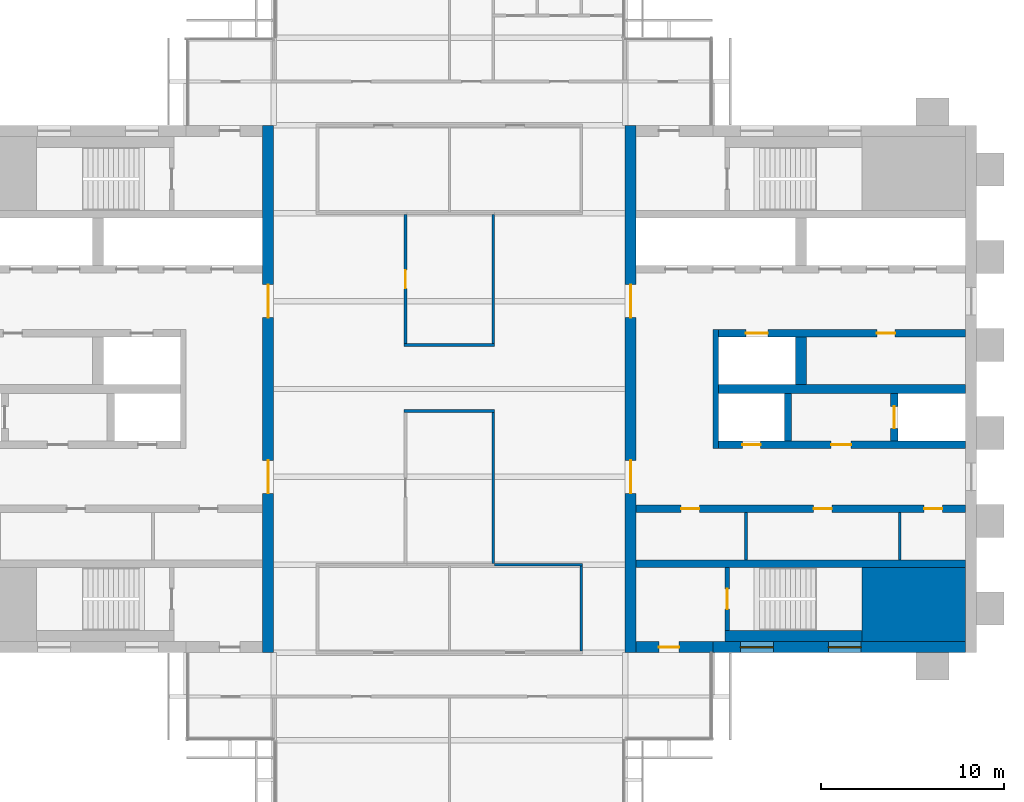
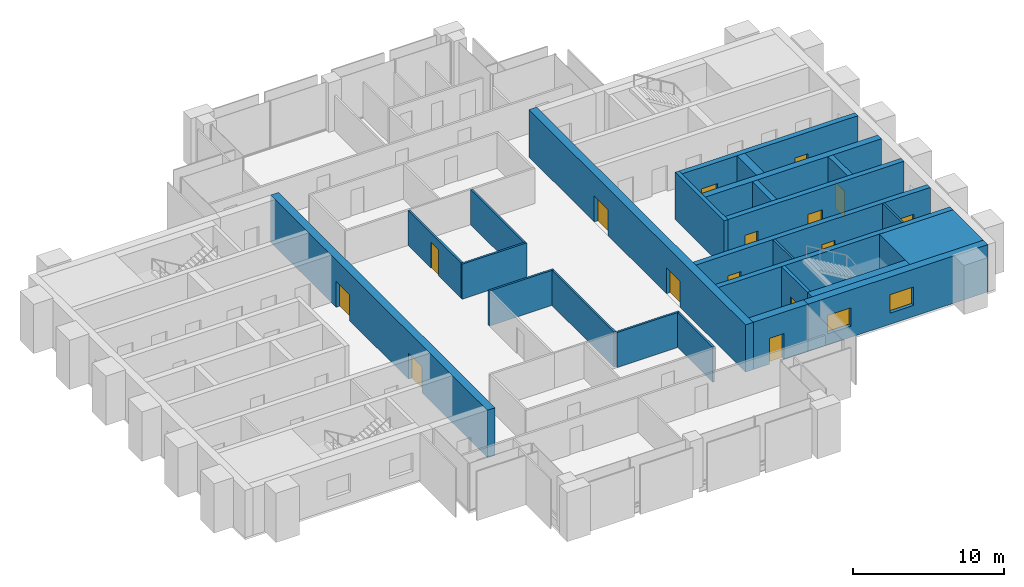
# One storey, part 9 of 12: 25 walls, 15 doors, 2 windows, 17 openings.
"""IFC4 building model written with IfcOpenShell, lengths in metres."""

from ifc_helpers import new_model, si_unit, direction, frame, frame_2d, origin, place, context, subcontext, project, spatial, rectangle, extrude, material, layer, layer_set, type_object, element, fill, save


model = new_model("IFC4")

# Units and contexts
model_context = context("Model", 3, precision=1e-05, world=origin(), true_north=direction((0.0, 1.0)))
body_context = subcontext(model_context, "Body", "Model", "MODEL_VIEW")
ifc_project = project(units=[si_unit("LENGTHUNIT", "METRE"), si_unit("AREAUNIT", "SQUARE_METRE"), si_unit("VOLUMEUNIT", "CUBIC_METRE"), si_unit("PLANEANGLEUNIT", "RADIAN"), si_unit("MASSUNIT", "GRAM", prefix="KILO")], contexts=[model_context])

# Site, building, storey
site_placement = place(None, origin())
site = spatial("IfcSite", under=ifc_project, at=site_placement, CompositionType="ELEMENT")
building_placement = place(site_placement, origin())
building = spatial("IfcBuilding", under=site, at=building_placement, Name="Baori Bourse Tower", CompositionType="ELEMENT")
storey_placement = place(building_placement, frame((0.0, 0.0, 298.300048828125)))
storey = spatial("IfcBuildingStorey", under=building, at=storey_placement, Name="L65", CompositionType="ELEMENT", Elevation=298.300048828125)

# Walls
ifc_material_1 = material(Name="Concrete f'c 40 MPa", Category="concrete")
wall_type_1 = type_object("IfcWallType", Name="Core corner block f'c 40", PredefinedType="SHEAR", material=ifc_material_1)
wall_1_placement = place(storey_placement, frame((51.35009765625, 12.22509765625, 0.0), z_axis=(0.0, 0.0, 1.0), x_axis=(1.0, 0.0, 0.0)))
element("IfcWall", 1, at=wall_1_placement, inside=storey, type_object=wall_type_1, Name="Core wall E05", PredefinedType="SHEAR", context=body_context, shape_type="SweptSolid", body=[
    extrude(rectangle(XDim=5.64990234375, YDim=4.050048828125, at=frame_2d((2.824951171875, 0.0))), origin(), (0.0, 0.0, 1.0), 3.83984375),
])
ifc_material_2 = material(Name="Blockwork partition", Category="masonry")
ifc_layer_1 = layer(ifc_material_2, 0.14990234375)
ifc_layer_set_1 = layer_set([ifc_layer_1], Name="Core partition 150")
wall_type_2 = type_object("IfcWallType", Name="Core partition 150", PredefinedType="PARTITIONING", material=ifc_layer_set_1)
for number, where, z_axis, x_axis, name in (
    (2, (53.39990234375, 14.64990234375, 0.0), (0.0, 0.0, 1.0), (0.0, 1.0, 0.0), "Partition wall E09"),
    (3, (45.0, 14.64990234375, 0.0), (0.0, 0.0, 1.0), (0.0, 1.0, 0.0), "Partition wall E10"),
):
    element("IfcWall", number, at=place(storey_placement, frame(where, z_axis=z_axis, x_axis=x_axis)), inside=storey, type_object=wall_type_2, Name=name, PredefinedType="PARTITIONING", context=body_context, shape_type="SweptSolid", body=[
        extrude(rectangle(XDim=2.60009765625, YDim=0.14990234375, at=frame_2d((1.300048828125, 0.0))), origin(), (0.0, 0.0, 1.0), 3.83984375),
    ])

# Wall, openings, doors
ifc_material_3 = material(Name="Concrete f'c 40 MPa", Category="concrete")
ifc_layer_2 = layer(ifc_material_3, 0.60009765625)
ifc_layer_set_2 = layer_set([ifc_layer_2], Name="Core wall 600 f'c 40")
wall_type_3 = type_object("IfcWallType", Name="Core wall 600 f'c 40", PredefinedType="SHEAR", material=ifc_layer_set_2)
wall_2_placement = place(storey_placement, frame((18.89990234375, 38.39990234375, 0.0), z_axis=(0.0, 0.0, 1.0), x_axis=(0.0, -1.0, 0.0)))
wall_2 = element("IfcWall", 4, at=wall_2_placement, inside=storey, type_object=wall_type_3, Name="Core wall W04", PredefinedType="SHEAR", context=body_context, shape_type="SweptSolid", body=[
    extrude(rectangle(XDim=28.7998046875, YDim=0.60009765625, at=frame_2d((14.39990234375, 0.0))), origin(), (0.0, 0.0, 1.0), 3.83984375),
])
opening_1_placement = place(wall_2_placement, frame((18.300048828125, 0.0, 0.0)))
opening_1 = element("IfcOpeningElement", 5, at=opening_1_placement, cuts=wall_2, Name="Opening L65-D107", PredefinedType="OPENING", context=body_context, shape_type="SweptSolid", body=[
    extrude(rectangle(XDim=1.800048828125, YDim=2.10009765625, at=frame_2d((0.89990234375, 1.050048828125))), frame((0.0, 0.31005859375, 0.0), z_axis=(0.0, -1.0, 0.0), x_axis=(1.0, 0.0, 0.0)), (0.0, 0.0, 1.0), 0.6201171875),
])
opening_2_placement = place(wall_2_placement, frame((8.699951171875, 0.0, 0.0)))
opening_2 = element("IfcOpeningElement", 6, at=opening_2_placement, cuts=wall_2, Name="Opening L65-D108", PredefinedType="OPENING", context=body_context, shape_type="SweptSolid", body=[
    extrude(rectangle(XDim=1.800048828125, YDim=2.10009765625, at=frame_2d((0.89990234375, 1.050048828125))), frame((0.0, 0.31005859375, 0.0), z_axis=(0.0, -1.0, 0.0), x_axis=(1.0, 0.0, 0.0)), (0.0, 0.0, 1.0), 0.6201171875),
])
ifc_material_4 = material(Name="Painted steel door", Category="steel")
door_type_1 = type_object("IfcDoorType", Name="Core lobby door 1800", OperationType="DOUBLE_DOOR_SINGLE_SWING", PredefinedType="DOOR", material=ifc_material_4)
door_1_placement = place(opening_1_placement, origin())
door_1 = element("IfcDoor", 7, at=door_1_placement, inside=storey, type_object=door_type_1, Name="Lobby door W L65", OperationType="DOUBLE_DOOR_SINGLE_SWING", OverallHeight=2.10009765625, OverallWidth=1.800048828125, PredefinedType="DOOR", context=body_context, shape_type="SweptSolid", body=[
    extrude(rectangle(XDim=1.800048828125, YDim=2.10009765625, at=frame_2d((0.89990234375, 1.050048828125))), frame((0.0, 0.02490234375, 0.0), z_axis=(0.0, -1.0, 0.0), x_axis=(1.0, 0.0, 0.0)), (0.0, 0.0, 1.0), 0.050048828125),
])
fill(opening_1, door_1)
door_2_placement = place(opening_2_placement, origin())
door_2 = element("IfcDoor", 8, at=door_2_placement, inside=storey, type_object=door_type_1, Name="Lobby door W L65", OperationType="DOUBLE_DOOR_SINGLE_SWING", OverallHeight=2.10009765625, OverallWidth=1.800048828125, PredefinedType="DOOR", context=body_context, shape_type="SweptSolid", body=[
    extrude(rectangle(XDim=1.800048828125, YDim=2.10009765625, at=frame_2d((0.89990234375, 1.050048828125))), frame((0.0, 0.02490234375, 0.0), z_axis=(0.0, -1.0, 0.0), x_axis=(1.0, 0.0, 0.0)), (0.0, 0.0, 1.0), 0.050048828125),
])
fill(opening_2, door_2)

# Wall, openings, windows
wall_3_placement = place(storey_placement, frame((57.0, 9.89990234375, 0.0), z_axis=(0.0, 0.0, 1.0), x_axis=(-1.0, 0.0, 0.0)))
wall_3 = element("IfcWall", 9, at=wall_3_placement, inside=storey, type_object=wall_type_3, Name="Core wall E02", PredefinedType="SHEAR", context=body_context, shape_type="SweptSolid", body=[
    extrude(rectangle(XDim=13.800048828125, YDim=0.60009765625, at=frame_2d((6.89990234375, 0.0))), origin(), (0.0, 0.0, 1.0), 3.83984375),
])
opening_3_placement = place(wall_3_placement, frame((5.699951171875, 0.0, 0.89990234375)))
opening_3 = element("IfcOpeningElement", 10, at=opening_3_placement, cuts=wall_3, Name="Opening L65-KW203", PredefinedType="OPENING", context=body_context, shape_type="SweptSolid", body=[
    extrude(rectangle(XDim=1.800048828125, YDim=1.5, at=frame_2d((0.89990234375, 0.75))), frame((0.0, 0.31005859375, 0.0), z_axis=(0.0, -1.0, 0.0), x_axis=(1.0, 0.0, 0.0)), (0.0, 0.0, 1.0), 0.6201171875),
])
opening_4_placement = place(wall_3_placement, frame((10.5, 0.0, 0.89990234375)))
opening_4 = element("IfcOpeningElement", 11, at=opening_4_placement, cuts=wall_3, Name="Opening L65-KW204", PredefinedType="OPENING", context=body_context, shape_type="SweptSolid", body=[
    extrude(rectangle(XDim=1.800048828125, YDim=1.5, at=frame_2d((0.89990234375, 0.75))), frame((0.0, 0.31005859375, 0.0), z_axis=(0.0, -1.0, 0.0), x_axis=(1.0, 0.0, 0.0)), (0.0, 0.0, 1.0), 0.6201171875),
])
ifc_material_5 = material(Name="Pale anodised aluminium", Category="aluminium")
window_type = type_object("IfcWindowType", Name="Stair window 1800 x 1500", PartitioningType="SINGLE_PANEL", PredefinedType="WINDOW", material=ifc_material_5)
window_1_placement = place(opening_3_placement, origin())
window_1 = element("IfcWindow", 12, at=window_1_placement, inside=storey, type_object=window_type, Name="Stair window E L65 3", OverallHeight=1.5, OverallWidth=1.800048828125, PartitioningType="SINGLE_PANEL", PredefinedType="WINDOW", context=body_context, shape_type="SweptSolid", body=[
    extrude(rectangle(XDim=1.800048828125, YDim=1.5, at=frame_2d((0.89990234375, 0.75))), frame((0.0, 0.030029296875, 0.0), z_axis=(0.0, -1.0, 0.0), x_axis=(1.0, 0.0, 0.0)), (0.0, 0.0, 1.0), 0.06005859375),
])
fill(opening_3, window_1)
window_2_placement = place(opening_4_placement, origin())
window_2 = element("IfcWindow", 13, at=window_2_placement, inside=storey, type_object=window_type, Name="Stair window E L65 4", OverallHeight=1.5, OverallWidth=1.800048828125, PartitioningType="SINGLE_PANEL", PredefinedType="WINDOW", context=body_context, shape_type="SweptSolid", body=[
    extrude(rectangle(XDim=1.800048828125, YDim=1.5, at=frame_2d((0.89990234375, 0.75))), frame((0.0, 0.030029296875, 0.0), z_axis=(0.0, -1.0, 0.0), x_axis=(1.0, 0.0, 0.0)), (0.0, 0.0, 1.0), 0.06005859375),
])
fill(opening_4, window_2)

# Wall, opening, door
wall_4_placement = place(storey_placement, frame((43.199951171875, 9.89990234375, 0.0), z_axis=(0.0, 0.0, 1.0), x_axis=(-1.0, 0.0, 0.0)))
wall_4 = element("IfcWall", 14, at=wall_4_placement, inside=storey, type_object=wall_type_3, Name="Core wall E03", PredefinedType="SHEAR", context=body_context, shape_type="SweptSolid", body=[
    extrude(rectangle(XDim=4.199951171875, YDim=0.60009765625, at=frame_2d((2.10009765625, 0.0))), origin(), (0.0, 0.0, 1.0), 3.83984375),
])
opening_5_placement = place(wall_4_placement, frame((1.85009765625, 0.0, 0.0)))
opening_5 = element("IfcOpeningElement", 15, at=opening_5_placement, cuts=wall_4, Name="Opening L65-D202", PredefinedType="OPENING", context=body_context, shape_type="SweptSolid", body=[
    extrude(rectangle(XDim=1.10009765625, YDim=2.10009765625, at=frame_2d((0.550048828125, 1.050048828125))), frame((0.0, 0.31005859375, 0.0), z_axis=(0.0, -1.0, 0.0), x_axis=(1.0, 0.0, 0.0)), (0.0, 0.0, 1.0), 0.6201171875),
])
ifc_material_6 = material(Name="Painted steel door", Category="steel")
door_type_2 = type_object("IfcDoorType", Name="Stair door 1100", OperationType="SINGLE_SWING_LEFT", PredefinedType="DOOR", material=ifc_material_6)
door_3_placement = place(opening_5_placement, origin())
door_3 = element("IfcDoor", 16, at=door_3_placement, inside=storey, type_object=door_type_2, Name="Stair vestibule door A E L65", OperationType="SINGLE_SWING_LEFT", OverallHeight=2.10009765625, OverallWidth=1.10009765625, PredefinedType="DOOR", context=body_context, shape_type="SweptSolid", body=[
    extrude(rectangle(XDim=1.10009765625, YDim=2.10009765625, at=frame_2d((0.550048828125, 1.050048828125))), frame((0.0, 0.02490234375, 0.0), z_axis=(0.0, -1.0, 0.0), x_axis=(1.0, 0.0, 0.0)), (0.0, 0.0, 1.0), 0.050048828125),
])
fill(opening_5, door_3)

# Wall, openings, doors
wall_5_placement = place(storey_placement, frame((38.699951171875, 9.60009765625, 0.0), z_axis=(0.0, 0.0, 1.0), x_axis=(0.0, 1.0, 0.0)))
wall_5 = element("IfcWall", 17, at=wall_5_placement, inside=storey, type_object=wall_type_3, Name="Core wall E04", PredefinedType="SHEAR", context=body_context, shape_type="SweptSolid", body=[
    extrude(rectangle(XDim=28.7998046875, YDim=0.60009765625, at=frame_2d((14.39990234375, 0.0))), origin(), (0.0, 0.0, 1.0), 3.83984375),
])
opening_6_placement = place(wall_5_placement, frame((8.699951171875, 0.0, 0.0)))
opening_6 = element("IfcOpeningElement", 18, at=opening_6_placement, cuts=wall_5, Name="Opening L65-D207", PredefinedType="OPENING", context=body_context, shape_type="SweptSolid", body=[
    extrude(rectangle(XDim=1.800048828125, YDim=2.10009765625, at=frame_2d((0.89990234375, 1.050048828125))), frame((0.0, 0.31005859375, 0.0), z_axis=(0.0, -1.0, 0.0), x_axis=(1.0, 0.0, 0.0)), (0.0, 0.0, 1.0), 0.6201171875),
])
opening_7_placement = place(wall_5_placement, frame((18.300048828125, 0.0, 0.0)))
opening_7 = element("IfcOpeningElement", 19, at=opening_7_placement, cuts=wall_5, Name="Opening L65-D208", PredefinedType="OPENING", context=body_context, shape_type="SweptSolid", body=[
    extrude(rectangle(XDim=1.800048828125, YDim=2.10009765625, at=frame_2d((0.89990234375, 1.050048828125))), frame((0.0, 0.31005859375, 0.0), z_axis=(0.0, -1.0, 0.0), x_axis=(1.0, 0.0, 0.0)), (0.0, 0.0, 1.0), 0.6201171875),
])
door_4_placement = place(opening_6_placement, origin())
door_4 = element("IfcDoor", 20, at=door_4_placement, inside=storey, type_object=door_type_1, Name="Lobby door E L65", OperationType="DOUBLE_DOOR_SINGLE_SWING", OverallHeight=2.10009765625, OverallWidth=1.800048828125, PredefinedType="DOOR", context=body_context, shape_type="SweptSolid", body=[
    extrude(rectangle(XDim=1.800048828125, YDim=2.10009765625, at=frame_2d((0.89990234375, 1.050048828125))), frame((0.0, 0.02490234375, 0.0), z_axis=(0.0, -1.0, 0.0), x_axis=(1.0, 0.0, 0.0)), (0.0, 0.0, 1.0), 0.050048828125),
])
fill(opening_6, door_4)
door_5_placement = place(opening_7_placement, origin())
door_5 = element("IfcDoor", 21, at=door_5_placement, inside=storey, type_object=door_type_1, Name="Lobby door E L65", OperationType="DOUBLE_DOOR_SINGLE_SWING", OverallHeight=2.10009765625, OverallWidth=1.800048828125, PredefinedType="DOOR", context=body_context, shape_type="SweptSolid", body=[
    extrude(rectangle(XDim=1.800048828125, YDim=2.10009765625, at=frame_2d((0.89990234375, 1.050048828125))), frame((0.0, 0.02490234375, 0.0), z_axis=(0.0, -1.0, 0.0), x_axis=(1.0, 0.0, 0.0)), (0.0, 0.0, 1.0), 0.050048828125),
])
fill(opening_7, door_5)

# Walls
ifc_material_7 = material(Name="Gypsum board partition")
ifc_layer_3 = layer(ifc_material_7, 0.14990234375)
ifc_layer_set_3 = layer_set([ifc_layer_3], Name="Corridor partition 150")
wall_type_4 = type_object("IfcWallType", Name="Corridor partition 150", PredefinedType="PARTITIONING", material=ifc_layer_set_3)
wall_6_placement = place(storey_placement, frame((31.27490234375, 14.39990234375, 0.0), z_axis=(0.0, 0.0, 1.0), x_axis=(1.0, 0.0, 0.0)))
element("IfcWall", 22, at=wall_6_placement, inside=storey, type_object=wall_type_4, Name="Partition", PredefinedType="PARTITIONING", context=body_context, shape_type="SweptSolid", body=[
    extrude(rectangle(XDim=4.800048828125, YDim=0.14990234375, at=frame_2d((2.39990234375, 0.0))), origin(), (0.0, 0.0, 1.0), 2.849365234375),
])
for number, where, z_axis, x_axis, name in (
    (23, (26.324951171875, 22.800048828125, 0.0), (0.0, 0.0, 1.0), (1.0, 0.0, 0.0), "Partition"),
    (24, (26.324951171875, 26.39990234375, 0.0), (0.0, 0.0, 1.0), (1.0, 0.0, 0.0), "Partition"),
):
    element("IfcWall", number, at=place(storey_placement, frame(where, z_axis=z_axis, x_axis=x_axis)), inside=storey, type_object=wall_type_4, Name=name, PredefinedType="PARTITIONING", context=body_context, shape_type="SweptSolid", body=[
        extrude(rectangle(XDim=4.949951171875, YDim=0.14990234375, at=frame_2d((2.47509765625, 0.0))), origin(), (0.0, 0.0, 1.0), 2.849365234375),
    ])

# Wall, opening, door
wall_7_placement = place(storey_placement, frame((26.39990234375, 26.47509765625, 0.0), z_axis=(0.0, 0.0, 1.0), x_axis=(0.0, 1.0, 0.0)))
wall_7 = element("IfcWall", 25, at=wall_7_placement, inside=storey, type_object=wall_type_4, Name="Partition", PredefinedType="PARTITIONING", context=body_context, shape_type="SweptSolid", body=[
    extrude(rectangle(XDim=7.0498046875, YDim=0.14990234375, at=frame_2d((3.52490234375, 0.0))), origin(), (0.0, 0.0, 1.0), 2.849365234375),
])
opening_8_placement = place(wall_7_placement, frame((3.02490234375, 0.0, 0.0)))
opening_8 = element("IfcOpeningElement", 26, at=opening_8_placement, cuts=wall_7, Name="Opening L65-D17", PredefinedType="OPENING", context=body_context, shape_type="SweptSolid", body=[
    extrude(rectangle(XDim=1.0, YDim=2.10009765625, at=frame_2d((0.5, 1.050048828125))), frame((0.0, 0.0849609375, 0.0), z_axis=(0.0, -1.0, 0.0), x_axis=(1.0, 0.0, 0.0)), (0.0, 0.0, 1.0), 0.169921875),
])
ifc_material_8 = material(Name="Timber door leaf", Category="wood")
door_type_3 = type_object("IfcDoorType", Name="Door 1000 x 2100", OperationType="SINGLE_SWING_LEFT", PredefinedType="DOOR", material=ifc_material_8)
door_6_placement = place(opening_8_placement, origin())
door_6 = element("IfcDoor", 27, at=door_6_placement, inside=storey, type_object=door_type_3, Name="Door", OperationType="SINGLE_SWING_LEFT", OverallHeight=2.10009765625, OverallWidth=1.0, PredefinedType="DOOR", context=body_context, shape_type="SweptSolid", body=[
    extrude(rectangle(XDim=1.0, YDim=2.10009765625, at=frame_2d((0.5, 1.050048828125))), frame((0.0, 0.02490234375, 0.0), z_axis=(0.0, -1.0, 0.0), x_axis=(1.0, 0.0, 0.0)), (0.0, 0.0, 1.0), 0.050048828125),
])
fill(opening_8, door_6)

# Walls
wall_8_placement = place(storey_placement, frame((31.199951171875, 14.47509765625, 0.0), z_axis=(0.0, 0.0, 1.0), x_axis=(0.0, 1.0, 0.0)))
element("IfcWall", 28, at=wall_8_placement, inside=storey, type_object=wall_type_4, Name="Partition", PredefinedType="PARTITIONING", context=body_context, shape_type="SweptSolid", body=[
    extrude(rectangle(XDim=8.25, YDim=0.14990234375, at=frame_2d((4.125, 0.0))), origin(), (0.0, 0.0, 1.0), 2.849365234375),
])
wall_9_placement = place(storey_placement, frame((31.199951171875, 26.47509765625, 0.0), z_axis=(0.0, 0.0, 1.0), x_axis=(0.0, 1.0, 0.0)))
element("IfcWall", 29, at=wall_9_placement, inside=storey, type_object=wall_type_4, Name="Partition", PredefinedType="PARTITIONING", context=body_context, shape_type="SweptSolid", body=[
    extrude(rectangle(XDim=7.0498046875, YDim=0.14990234375, at=frame_2d((3.52490234375, 0.0))), origin(), (0.0, 0.0, 1.0), 2.849365234375),
])
wall_10_placement = place(storey_placement, frame((36.0, 9.675048828125, 0.0), z_axis=(0.0, 0.0, 1.0), x_axis=(0.0, 1.0, 0.0)))
element("IfcWall", 30, at=wall_10_placement, inside=storey, type_object=wall_type_4, Name="Partition", PredefinedType="PARTITIONING", context=body_context, shape_type="SweptSolid", body=[
    extrude(rectangle(XDim=4.64990234375, YDim=0.14990234375, at=frame_2d((2.324951171875, 0.0))), origin(), (0.0, 0.0, 1.0), 2.849365234375),
])

# Wall, opening, door
ifc_material_9 = material(Name="Concrete f'c 40 MPa", Category="concrete")
ifc_layer_4 = layer(ifc_material_9, 0.25)
ifc_layer_set_4 = layer_set([ifc_layer_4], Name="Shaft wall 250 f'c 40")
wall_type_5 = type_object("IfcWallType", Name="Shaft wall 250 f'c 40", PredefinedType="SHEAR", material=ifc_layer_set_4)
wall_11_placement = place(storey_placement, frame((43.97509765625, 10.800048828125, 0.0), z_axis=(0.0, 0.0, 1.0), x_axis=(0.0, 1.0, 0.0)))
wall_11 = element("IfcWall", 31, at=wall_11_placement, inside=storey, type_object=wall_type_5, Name="Core wall E07", PredefinedType="SHEAR", context=body_context, shape_type="SweptSolid", body=[
    extrude(rectangle(XDim=3.449951171875, YDim=0.25, at=frame_2d((1.72509765625, 0.0))), origin(), (0.0, 0.0, 1.0), 3.83984375),
])
opening_9_placement = place(wall_11_placement, frame((1.175048828125, 0.0, 0.0)))
opening_9 = element("IfcOpeningElement", 32, at=opening_9_placement, cuts=wall_11, Name="Opening L65-D201", PredefinedType="OPENING", context=body_context, shape_type="SweptSolid", body=[
    extrude(rectangle(XDim=1.10009765625, YDim=2.10009765625, at=frame_2d((0.550048828125, 1.050048828125))), frame((0.0, 0.135009765625, 0.0), z_axis=(0.0, -1.0, 0.0), x_axis=(1.0, 0.0, 0.0)), (0.0, 0.0, 1.0), 0.27001953125),
])
door_7_placement = place(opening_9_placement, origin())
door_7 = element("IfcDoor", 33, at=door_7_placement, inside=storey, type_object=door_type_2, Name="Stair door A E L65", OperationType="SINGLE_SWING_LEFT", OverallHeight=2.10009765625, OverallWidth=1.10009765625, PredefinedType="DOOR", context=body_context, shape_type="SweptSolid", body=[
    extrude(rectangle(XDim=1.10009765625, YDim=2.10009765625, at=frame_2d((0.550048828125, 1.050048828125))), frame((0.0, 0.02490234375, 0.0), z_axis=(0.0, -1.0, 0.0), x_axis=(1.0, 0.0, 0.0)), (0.0, 0.0, 1.0), 0.050048828125),
])
fill(opening_9, door_7)

# Walls
ifc_material_10 = material(Name="Concrete f'c 40 MPa", Category="concrete")
ifc_layer_5 = layer(ifc_material_10, 0.300048828125)
ifc_layer_set_5 = layer_set([ifc_layer_5], Name="Shaft wall 300 f'c 40")
wall_type_6 = type_object("IfcWallType", Name="Shaft wall 300 f'c 40", PredefinedType="SHEAR", material=ifc_layer_set_5)
wall_12_placement = place(storey_placement, frame((43.35009765625, 20.75, 0.0), z_axis=(0.0, 0.0, 1.0), x_axis=(0.0, 1.0, 0.0)))
element("IfcWall", 34, at=wall_12_placement, inside=storey, type_object=wall_type_6, Name="Core wall E13", PredefinedType="SHEAR", context=body_context, shape_type="SweptSolid", body=[
    extrude(rectangle(XDim=6.5, YDim=0.300048828125, at=frame_2d((3.25, 0.0))), origin(), (0.0, 0.0, 1.0), 3.83984375),
])
ifc_material_11 = material(Name="Concrete f'c 40 MPa", Category="concrete")
ifc_layer_6 = layer(ifc_material_11, 0.39990234375)
ifc_layer_set_6 = layer_set([ifc_layer_6], Name="Shaft wall 400 f'c 40")
wall_type_7 = type_object("IfcWallType", Name="Shaft wall 400 f'c 40", PredefinedType="SHEAR", material=ifc_layer_set_6)
wall_13_placement = place(storey_placement, frame((39.0, 14.449951171875, 0.0), z_axis=(0.0, 0.0, 1.0), x_axis=(1.0, 0.0, 0.0)))
element("IfcWall", 35, at=wall_13_placement, inside=storey, type_object=wall_type_7, Name="Core wall E08", PredefinedType="SHEAR", context=body_context, shape_type="SweptSolid", body=[
    extrude(rectangle(XDim=18.0, YDim=0.39990234375, at=frame_2d((9.0, 0.0))), origin(), (0.0, 0.0, 1.0), 3.83984375),
])

# Wall, openings, doors
wall_14_placement = place(storey_placement, frame((39.0, 17.449951171875, 0.0), z_axis=(0.0, 0.0, 1.0), x_axis=(1.0, 0.0, 0.0)))
wall_14 = element("IfcWall", 36, at=wall_14_placement, inside=storey, type_object=wall_type_7, Name="Core wall E11", PredefinedType="SHEAR", context=body_context, shape_type="SweptSolid", body=[
    extrude(rectangle(XDim=18.0, YDim=0.39990234375, at=frame_2d((9.0, 0.0))), origin(), (0.0, 0.0, 1.0), 3.83984375),
])
opening_10_placement = place(wall_14_placement, frame((15.737548828125, 0.0, 0.0)))
opening_10 = element("IfcOpeningElement", 37, at=opening_10_placement, cuts=wall_14, Name="Opening L65-D209", PredefinedType="OPENING", context=body_context, shape_type="SweptSolid", body=[
    extrude(rectangle(XDim=1.0, YDim=2.10009765625, at=frame_2d((0.5, 1.050048828125))), frame((0.0, 0.2099609375, 0.0), z_axis=(0.0, -1.0, 0.0), x_axis=(1.0, 0.0, 0.0)), (0.0, 0.0, 1.0), 0.419921875),
])
opening_11_placement = place(wall_14_placement, frame((9.699951171875, 0.0, 0.0)))
opening_11 = element("IfcOpeningElement", 38, at=opening_11_placement, cuts=wall_14, Name="Opening L65-D210", PredefinedType="OPENING", context=body_context, shape_type="SweptSolid", body=[
    extrude(rectangle(XDim=1.0, YDim=2.10009765625, at=frame_2d((0.5, 1.050048828125))), frame((0.0, 0.2099609375, 0.0), z_axis=(0.0, -1.0, 0.0), x_axis=(1.0, 0.0, 0.0)), (0.0, 0.0, 1.0), 0.419921875),
])
opening_12_placement = place(wall_14_placement, frame((2.46240234375, 0.0, 0.0)))
opening_12 = element("IfcOpeningElement", 39, at=opening_12_placement, cuts=wall_14, Name="Opening L65-D211", PredefinedType="OPENING", context=body_context, shape_type="SweptSolid", body=[
    extrude(rectangle(XDim=1.0, YDim=2.10009765625, at=frame_2d((0.5, 1.050048828125))), frame((0.0, 0.2099609375, 0.0), z_axis=(0.0, -1.0, 0.0), x_axis=(1.0, 0.0, 0.0)), (0.0, 0.0, 1.0), 0.419921875),
])
ifc_material_12 = material(Name="Painted steel door", Category="steel")
door_type_4 = type_object("IfcDoorType", Name="Core door 1000", OperationType="SINGLE_SWING_LEFT", PredefinedType="DOOR", material=ifc_material_12)
door_8_placement = place(opening_10_placement, origin())
door_8 = element("IfcDoor", 40, at=door_8_placement, inside=storey, type_object=door_type_4, Name="Accessible Wc door E L65", OperationType="SINGLE_SWING_LEFT", OverallHeight=2.10009765625, OverallWidth=1.0, PredefinedType="DOOR", context=body_context, shape_type="SweptSolid", body=[
    extrude(rectangle(XDim=1.0, YDim=2.10009765625, at=frame_2d((0.5, 1.050048828125))), frame((0.0, 0.02490234375, 0.0), z_axis=(0.0, -1.0, 0.0), x_axis=(1.0, 0.0, 0.0)), (0.0, 0.0, 1.0), 0.050048828125),
])
fill(opening_10, door_8)
door_9_placement = place(opening_11_placement, origin())
door_9 = element("IfcDoor", 41, at=door_9_placement, inside=storey, type_object=door_type_4, Name="Men'S Wc door E L65", OperationType="SINGLE_SWING_LEFT", OverallHeight=2.10009765625, OverallWidth=1.0, PredefinedType="DOOR", context=body_context, shape_type="SweptSolid", body=[
    extrude(rectangle(XDim=1.0, YDim=2.10009765625, at=frame_2d((0.5, 1.050048828125))), frame((0.0, 0.02490234375, 0.0), z_axis=(0.0, -1.0, 0.0), x_axis=(1.0, 0.0, 0.0)), (0.0, 0.0, 1.0), 0.050048828125),
])
fill(opening_11, door_9)
door_10_placement = place(opening_12_placement, origin())
door_10 = element("IfcDoor", 42, at=door_10_placement, inside=storey, type_object=door_type_4, Name="Women'S Wc door E L65", OperationType="SINGLE_SWING_LEFT", OverallHeight=2.10009765625, OverallWidth=1.0, PredefinedType="DOOR", context=body_context, shape_type="SweptSolid", body=[
    extrude(rectangle(XDim=1.0, YDim=2.10009765625, at=frame_2d((0.5, 1.050048828125))), frame((0.0, 0.02490234375, 0.0), z_axis=(0.0, -1.0, 0.0), x_axis=(1.0, 0.0, 0.0)), (0.0, 0.0, 1.0), 0.050048828125),
])
fill(opening_12, door_10)

wall_15_placement = place(storey_placement, frame((43.5, 20.949951171875, 0.0), z_axis=(0.0, 0.0, 1.0), x_axis=(1.0, 0.0, 0.0)))
wall_15 = element("IfcWall", 43, at=wall_15_placement, inside=storey, type_object=wall_type_7, Name="Core wall E12", PredefinedType="SHEAR", context=body_context, shape_type="SweptSolid", body=[
    extrude(rectangle(XDim=13.5, YDim=0.39990234375, at=frame_2d((6.75, 0.0))), origin(), (0.0, 0.0, 1.0), 3.83984375),
])
opening_13_placement = place(wall_15_placement, frame((6.14990234375, 0.0, 0.0)))
opening_13 = element("IfcOpeningElement", 44, at=opening_13_placement, cuts=wall_15, Name="Opening L65-D205", PredefinedType="OPENING", context=body_context, shape_type="SweptSolid", body=[
    extrude(rectangle(XDim=1.10009765625, YDim=2.10009765625, at=frame_2d((0.550048828125, 1.050048828125))), frame((0.0, 0.2099609375, 0.0), z_axis=(0.0, -1.0, 0.0), x_axis=(1.0, 0.0, 0.0)), (0.0, 0.0, 1.0), 0.419921875),
])
opening_14_placement = place(wall_15_placement, frame((1.300048828125, 0.0, 0.0)))
opening_14 = element("IfcOpeningElement", 45, at=opening_14_placement, cuts=wall_15, Name="Opening L65-D206", PredefinedType="OPENING", context=body_context, shape_type="SweptSolid", body=[
    extrude(rectangle(XDim=1.0, YDim=2.10009765625, at=frame_2d((0.5, 1.050048828125))), frame((0.0, 0.2099609375, 0.0), z_axis=(0.0, -1.0, 0.0), x_axis=(1.0, 0.0, 0.0)), (0.0, 0.0, 1.0), 0.419921875),
])
ifc_material_13 = material(Name="Painted steel door", Category="steel")
door_type_5 = type_object("IfcDoorType", Name="Lobby door 1100", OperationType="SINGLE_SWING_LEFT", PredefinedType="DOOR", material=ifc_material_13)
door_11_placement = place(opening_13_placement, origin())
door_11 = element("IfcDoor", 46, at=door_11_placement, inside=storey, type_object=door_type_5, Name="Firefighting lobby door E L65", OperationType="SINGLE_SWING_LEFT", OverallHeight=2.10009765625, OverallWidth=1.10009765625, PredefinedType="DOOR", context=body_context, shape_type="SweptSolid", body=[
    extrude(rectangle(XDim=1.10009765625, YDim=2.10009765625, at=frame_2d((0.550048828125, 1.050048828125))), frame((0.0, 0.02490234375, 0.0), z_axis=(0.0, -1.0, 0.0), x_axis=(1.0, 0.0, 0.0)), (0.0, 0.0, 1.0), 0.050048828125),
])
fill(opening_13, door_11)
ifc_material_14 = material(Name="Painted steel door", Category="steel")
door_type_6 = type_object("IfcDoorType", Name="Shaft door 1000", OperationType="SINGLE_SWING_LEFT", PredefinedType="DOOR", material=ifc_material_14)
door_12_placement = place(opening_14_placement, origin())
door_12 = element("IfcDoor", 47, at=door_12_placement, inside=storey, type_object=door_type_6, Name="Riser room door E L65", OperationType="SINGLE_SWING_LEFT", OverallHeight=2.10009765625, OverallWidth=1.0, PredefinedType="DOOR", context=body_context, shape_type="SweptSolid", body=[
    extrude(rectangle(XDim=1.0, YDim=2.10009765625, at=frame_2d((0.5, 1.050048828125))), frame((0.0, 0.02490234375, 0.0), z_axis=(0.0, -1.0, 0.0), x_axis=(1.0, 0.0, 0.0)), (0.0, 0.0, 1.0), 0.050048828125),
])
fill(opening_14, door_12)

# Wall, opening, door
wall_16_placement = place(storey_placement, frame((53.10009765625, 21.14990234375, 0.0), z_axis=(0.0, 0.0, 1.0), x_axis=(0.0, 1.0, 0.0)))
wall_16 = element("IfcWall", 48, at=wall_16_placement, inside=storey, type_object=wall_type_7, Name="Core wall E14", PredefinedType="SHEAR", context=body_context, shape_type="SweptSolid", body=[
    extrude(rectangle(XDim=2.60009765625, YDim=0.39990234375, at=frame_2d((1.300048828125, 0.0))), origin(), (0.0, 0.0, 1.0), 3.83984375),
])
opening_15_placement = place(wall_16_placement, frame((0.699951171875, 0.0, 0.0)))
opening_15 = element("IfcOpeningElement", 49, at=opening_15_placement, cuts=wall_16, Name="Opening L65-D220", PredefinedType="OPENING", context=body_context, shape_type="SweptSolid", body=[
    extrude(rectangle(XDim=1.199951171875, YDim=2.10009765625, at=frame_2d((0.60009765625, 1.050048828125))), frame((0.0, 0.2099609375, 0.0), z_axis=(0.0, -1.0, 0.0), x_axis=(1.0, 0.0, 0.0)), (0.0, 0.0, 1.0), 0.419921875),
])
ifc_material_15 = material(Name="Stainless steel door", Category="steel")
door_type_7 = type_object("IfcDoorType", Name="Lift landing door", OperationType="DOUBLE_DOOR_SLIDING", PredefinedType="DOOR", material=ifc_material_15)
door_13_placement = place(opening_15_placement, origin())
door_13 = element("IfcDoor", 50, at=door_13_placement, inside=storey, type_object=door_type_7, Name="Lift landing door FF2 E L65", OperationType="DOUBLE_DOOR_SLIDING", OverallHeight=2.10009765625, OverallWidth=1.199951171875, PredefinedType="DOOR", context=body_context, shape_type="SweptSolid", body=[
    extrude(rectangle(XDim=1.199951171875, YDim=2.10009765625, at=frame_2d((0.60009765625, 1.050048828125))), frame((0.0, 0.02490234375, 0.0), z_axis=(0.0, -1.0, 0.0), x_axis=(1.0, 0.0, 0.0)), (0.0, 0.0, 1.0), 0.050048828125),
])
fill(opening_15, door_13)

# Wall
wall_17_placement = place(storey_placement, frame((47.300048828125, 21.14990234375, 0.0), z_axis=(0.0, 0.0, 1.0), x_axis=(0.0, 1.0, 0.0)))
element("IfcWall", 51, at=wall_17_placement, inside=storey, type_object=wall_type_7, Name="Core wall E15", PredefinedType="SHEAR", context=body_context, shape_type="SweptSolid", body=[
    extrude(rectangle(XDim=2.60009765625, YDim=0.39990234375, at=frame_2d((1.300048828125, 0.0))), origin(), (0.0, 0.0, 1.0), 3.83984375),
])

# Wall, openings, doors
wall_18_placement = place(storey_placement, frame((43.5, 27.050048828125, 0.0), z_axis=(0.0, 0.0, 1.0), x_axis=(1.0, 0.0, 0.0)))
wall_18 = element("IfcWall", 52, at=wall_18_placement, inside=storey, type_object=wall_type_7, Name="Core wall E18", PredefinedType="SHEAR", context=body_context, shape_type="SweptSolid", body=[
    extrude(rectangle(XDim=13.5, YDim=0.39990234375, at=frame_2d((6.75, 0.0))), origin(), (0.0, 0.0, 1.0), 3.83984375),
])
opening_16_placement = place(wall_18_placement, frame((8.64990234375, 0.0, 0.0)))
opening_16 = element("IfcOpeningElement", 53, at=opening_16_placement, cuts=wall_18, Name="Opening L65-D212", PredefinedType="OPENING", context=body_context, shape_type="SweptSolid", body=[
    extrude(rectangle(XDim=1.0, YDim=2.10009765625, at=frame_2d((0.5, 1.050048828125))), frame((0.0, 0.2099609375, 0.0), z_axis=(0.0, -1.0, 0.0), x_axis=(1.0, 0.0, 0.0)), (0.0, 0.0, 1.0), 0.419921875),
])
opening_17_placement = place(wall_18_placement, frame((1.5, 0.0, 0.0)))
opening_17 = element("IfcOpeningElement", 54, at=opening_17_placement, cuts=wall_18, Name="Opening L65-D219", PredefinedType="OPENING", context=body_context, shape_type="SweptSolid", body=[
    extrude(rectangle(XDim=1.199951171875, YDim=2.10009765625, at=frame_2d((0.60009765625, 1.050048828125))), frame((0.0, 0.2099609375, 0.0), z_axis=(0.0, -1.0, 0.0), x_axis=(1.0, 0.0, 0.0)), (0.0, 0.0, 1.0), 0.419921875),
])
door_14_placement = place(opening_16_placement, origin())
door_14 = element("IfcDoor", 55, at=door_14_placement, inside=storey, type_object=door_type_4, Name="Copy Room door E L65", OperationType="SINGLE_SWING_LEFT", OverallHeight=2.10009765625, OverallWidth=1.0, PredefinedType="DOOR", context=body_context, shape_type="SweptSolid", body=[
    extrude(rectangle(XDim=1.0, YDim=2.10009765625, at=frame_2d((0.5, 1.050048828125))), frame((0.0, 0.02490234375, 0.0), z_axis=(0.0, -1.0, 0.0), x_axis=(1.0, 0.0, 0.0)), (0.0, 0.0, 1.0), 0.050048828125),
])
fill(opening_16, door_14)
door_15_placement = place(opening_17_placement, origin())
door_15 = element("IfcDoor", 56, at=door_15_placement, inside=storey, type_object=door_type_7, Name="Lift landing door SV1 E L65", OperationType="DOUBLE_DOOR_SLIDING", OverallHeight=2.10009765625, OverallWidth=1.199951171875, PredefinedType="DOOR", context=body_context, shape_type="SweptSolid", body=[
    extrude(rectangle(XDim=1.199951171875, YDim=2.10009765625, at=frame_2d((0.60009765625, 1.050048828125))), frame((0.0, 0.02490234375, 0.0), z_axis=(0.0, -1.0, 0.0), x_axis=(1.0, 0.0, 0.0)), (0.0, 0.0, 1.0), 0.050048828125),
])
fill(opening_17, door_15)

# Walls
ifc_material_16 = material(Name="Concrete f'c 40 MPa", Category="concrete")
ifc_layer_7 = layer(ifc_material_16, 0.5)
ifc_layer_set_7 = layer_set([ifc_layer_7], Name="Shaft wall 500 f'c 40")
wall_type_8 = type_object("IfcWallType", Name="Shaft wall 500 f'c 40", PredefinedType="SHEAR", material=ifc_layer_set_7)
wall_19_placement = place(storey_placement, frame((43.5, 24.0, 0.0), z_axis=(0.0, 0.0, 1.0), x_axis=(1.0, 0.0, 0.0)))
element("IfcWall", 57, at=wall_19_placement, inside=storey, type_object=wall_type_8, Name="Core wall E16", PredefinedType="SHEAR", context=body_context, shape_type="SweptSolid", body=[
    extrude(rectangle(XDim=13.5, YDim=0.5, at=frame_2d((6.75, 0.0))), origin(), (0.0, 0.0, 1.0), 3.83984375),
])
ifc_material_17 = material(Name="Concrete f'c 40 MPa", Category="concrete")
ifc_layer_8 = layer(ifc_material_17, 0.60009765625)
ifc_layer_set_8 = layer_set([ifc_layer_8], Name="Shaft wall 600 f'c 40")
wall_type_9 = type_object("IfcWallType", Name="Shaft wall 600 f'c 40", PredefinedType="SHEAR", material=ifc_layer_set_8)
wall_20_placement = place(storey_placement, frame((43.85009765625, 10.5, 0.0), z_axis=(0.0, 0.0, 1.0), x_axis=(1.0, 0.0, 0.0)))
element("IfcWall", 58, at=wall_20_placement, inside=storey, type_object=wall_type_9, Name="Core wall E06", PredefinedType="SHEAR", context=body_context, shape_type="SweptSolid", body=[
    extrude(rectangle(XDim=7.5, YDim=0.60009765625, at=frame_2d((3.75, 0.0))), origin(), (0.0, 0.0, 1.0), 3.83984375),
])
wall_21_placement = place(storey_placement, frame((48.0, 24.25, 0.0), z_axis=(0.0, 0.0, 1.0), x_axis=(0.0, 1.0, 0.0)))
element("IfcWall", 59, at=wall_21_placement, inside=storey, type_object=wall_type_9, Name="Core wall E17", PredefinedType="SHEAR", context=body_context, shape_type="SweptSolid", body=[
    extrude(rectangle(XDim=2.60009765625, YDim=0.60009765625, at=frame_2d((1.300048828125, 0.0))), origin(), (0.0, 0.0, 1.0), 3.83984375),
])

save(model, "model.ifc")
